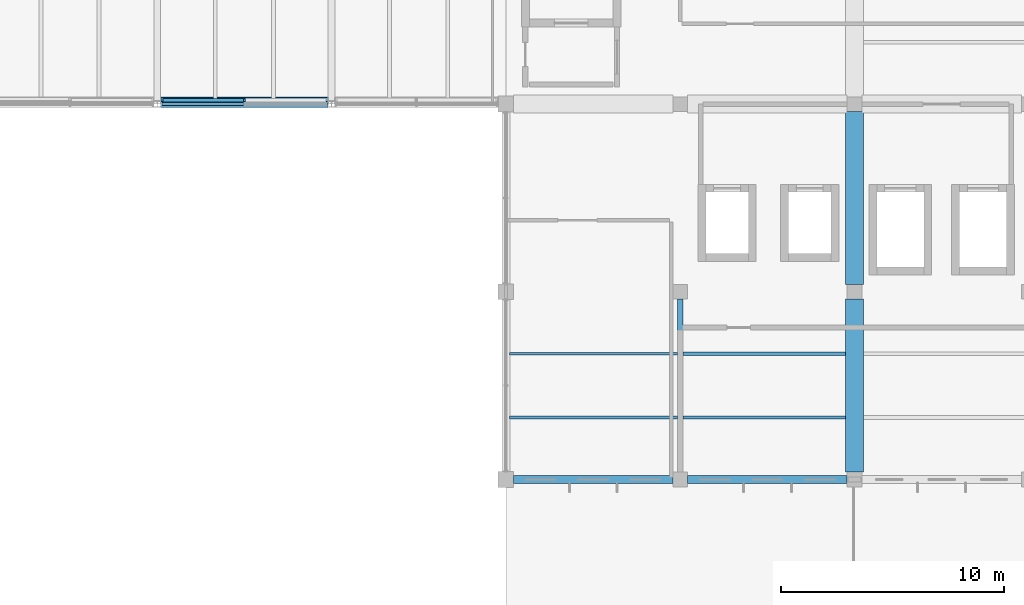
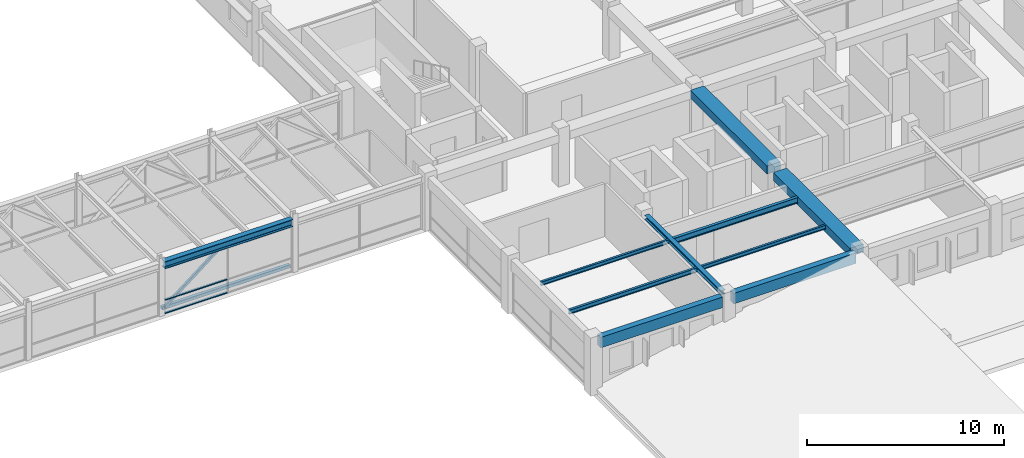
# One storey, part 22 of 49: 10 beams, 5 members, 1 element without a shape of its own.
"""IFC4 building model written with IfcOpenShell, lengths in metres."""

from ifc_helpers import new_model, si_unit, direction, frame, origin, origin_2d, place, context, subcontext, project, spatial, rectangle, hollow_rectangle, i_section, extrude, material, material_profile, profile_set, type_object, element, aggregate, save


model = new_model("IFC4")

# Units and contexts
model_context = context("Model", 3, precision=1e-05, world=origin(), true_north=direction((0.0, 1.0)))
body_context = subcontext(model_context, "Body", "Model", "MODEL_VIEW")
ifc_project = project(units=[si_unit("LENGTHUNIT", "METRE"), si_unit("AREAUNIT", "SQUARE_METRE"), si_unit("VOLUMEUNIT", "CUBIC_METRE"), si_unit("PLANEANGLEUNIT", "RADIAN"), si_unit("MASSUNIT", "GRAM", prefix="KILO"), si_unit("THERMODYNAMICTEMPERATUREUNIT", "KELVIN"), si_unit("POWERUNIT", "WATT")], contexts=[model_context])

# Site, building, storey
site_placement = place(None, origin())
site = spatial("IfcSite", under=ifc_project, at=site_placement, CompositionType="ELEMENT")
building_placement = place(site_placement, origin())
building = spatial("IfcBuilding", under=site, at=building_placement, Name="Srebrne Nadtorze General Hospital", CompositionType="ELEMENT")
storey_placement = place(building_placement, frame((0.0, 0.0, 26.10009765625)))
storey = spatial("IfcBuildingStorey", under=building, at=storey_placement, Name="L06", CompositionType="ELEMENT", Elevation=26.10009765625)

# Beam
ifc_material_1 = material(Name="Steel S355J2", Category="steel")
ifc_material_profile_1 = material_profile(ifc_material_1, i_section(OverallWidth=0.300048828125, OverallDepth=0.449951171875, WebThickness=0.013916015625, FlangeThickness=0.02587890625, FilletRadius=0.027099609375, at=origin_2d()), Name="HEB-450")
ifc_profile_set_1 = profile_set([ifc_material_profile_1], Name="Steel S355J2")
beam_type_1 = type_object("IfcBeamType", Name="Courtyard bridge girder HEB 450", PredefinedType="BEAM", material=ifc_profile_set_1)
beam_1_placement = place(storey_placement, frame((85.949951171875, 50.39990234375, 3.074951171875), z_axis=(1.0, 0.0, 0.0), x_axis=(0.0, 1.0, 0.0)))
element("IfcBeam", 1, at=beam_1_placement, inside=storey, type_object=beam_type_1, Name="Beam BM-L06-X-1158", PredefinedType="BEAM", context=body_context, shape_type="SweptSolid", body=[
    extrude(i_section(OverallWidth=0.300048828125, OverallDepth=0.449951171875, WebThickness=0.013916015625, FlangeThickness=0.02587890625, FilletRadius=0.027099609375, at=origin_2d()), origin(), (0.0, 0.0, 1.0), 7.5),
])

# Curtain wall, members
ifc_material_2 = material(Name="Anodised Aluminium", Category="aluminium")
curtain_wall_type = type_object("IfcCurtainWallType", Name="Bridge curtain wall 7500x2850", PredefinedType="NOTDEFINED", material=ifc_material_2)
curtain_wall_placement = place(storey_placement, origin())
curtain_wall = element("IfcCurtainWall", 2, at=curtain_wall_placement, inside=storey, type_object=curtain_wall_type, Name="Curtain wall CW-142", PredefinedType="NOTDEFINED")
ifc_material_3 = material(Name="Anodised Aluminium", Category="aluminium")
ifc_material_profile_2 = material_profile(ifc_material_3, hollow_rectangle(XDim=0.06005859375, YDim=0.1201171875, WallThickness=0.00390625, at=origin_2d()), Name="AL-TRN-60x120")
ifc_profile_set_2 = profile_set([ifc_material_profile_2], Name="Anodised Aluminium")
member_type_1 = type_object("IfcMemberType", Name="Curtain transom 60x120", PredefinedType="USERDEFINED", material=ifc_profile_set_2)
member_1_placement = place(storey_placement, frame((86.010009765625, 50.39990234375, 0.02978515625), z_axis=(1.0, 0.0, 0.0), x_axis=(0.0, 0.0, 1.0)))
member_1 = element("IfcMember", 3, at=member_1_placement, type_object=member_type_1, Name="CW-142 transom 1.1", ObjectType="TRANSOM", PredefinedType="USERDEFINED", context=body_context, shape_type="SweptSolid", body=[
    extrude(hollow_rectangle(XDim=0.06005859375, YDim=0.1201171875, WallThickness=0.00390625, at=origin_2d()), origin(), (0.0, 0.0, 1.0), 3.659912109375),
])
member_2_placement = place(storey_placement, frame((86.010009765625, 50.39990234375, 0.849853515625), z_axis=(1.0, 0.0, 0.0), x_axis=(0.0, 0.0, 1.0)))
member_2 = element("IfcMember", 4, at=member_2_placement, type_object=member_type_1, Name="CW-142 transom 1.2", ObjectType="TRANSOM", PredefinedType="USERDEFINED", context=body_context, shape_type="SweptSolid", body=[
    extrude(hollow_rectangle(XDim=0.06005859375, YDim=0.1201171875, WallThickness=0.00390625, at=origin_2d()), origin(), (0.0, 0.0, 1.0), 3.659912109375),
])
member_3_placement = place(storey_placement, frame((86.010009765625, 50.39990234375, 2.81982421875), z_axis=(1.0, 0.0, 0.0), x_axis=(0.0, 0.0, 1.0)))
member_3 = element("IfcMember", 5, at=member_3_placement, type_object=member_type_1, Name="CW-142 transom 1.3", ObjectType="TRANSOM", PredefinedType="USERDEFINED", context=body_context, shape_type="SweptSolid", body=[
    extrude(hollow_rectangle(XDim=0.06005859375, YDim=0.1201171875, WallThickness=0.00390625, at=origin_2d()), origin(), (0.0, 0.0, 1.0), 3.659912109375),
])
aggregate(curtain_wall, [member_1, member_2, member_3])

# Beams
ifc_material_4 = material(Name="Steel S355J2", Category="steel")
ifc_material_profile_3 = material_profile(ifc_material_4, i_section(OverallWidth=0.169921875, OverallDepth=0.360107421875, WebThickness=0.008056640625, FlangeThickness=0.0126953125, FilletRadius=0.01806640625, at=origin_2d()), Name="IPE-360")
ifc_profile_set_3 = profile_set([ifc_material_profile_3], Name="Steel S355J2")
beam_type_2 = type_object("IfcBeamType", Name="Deck joist IPE 360", PredefinedType="JOIST", material=ifc_profile_set_3)
beam_2_placement = place(storey_placement, frame((109.324951171875, 39.22802734375, 3.119873046875), z_axis=(1.0, 0.0, 0.0), x_axis=(0.0, 1.0, 0.0)))
element("IfcBeam", 6, at=beam_2_placement, inside=storey, type_object=beam_type_2, Name="Interstitial deck joist SJ-L06-0133", PredefinedType="JOIST", context=body_context, shape_type="SweptSolid", body=[
    extrude(i_section(OverallWidth=0.169921875, OverallDepth=0.360107421875, WebThickness=0.008056640625, FlangeThickness=0.0126953125, FilletRadius=0.01806640625, at=origin_2d()), origin(), (0.0, 0.0, 1.0), 7.280029296875),
])
ifc_material_5 = material(Name="Concrete C35/45", Category="concrete")
ifc_material_profile_4 = material_profile(ifc_material_5, rectangle(XDim=0.35009765625, YDim=0.64990234375, at=origin_2d()), Name="RC-BM-350x650")
ifc_profile_set_4 = profile_set([ifc_material_profile_4], Name="Concrete C35/45")
beam_type_3 = type_object("IfcBeamType", Name="Edge beam RC 350x650", PredefinedType="BEAM", material=ifc_profile_set_4)
beam_3_placement = place(storey_placement, frame((101.75, 33.60009765625, 2.974853515625), z_axis=(1.0, 0.0, 0.0), x_axis=(0.0, 1.0, 0.0)))
element("IfcBeam", 7, at=beam_3_placement, inside=storey, type_object=beam_type_3, Name="Beam BM-L06-X-1144", PredefinedType="BEAM", context=body_context, shape_type="SweptSolid", body=[
    extrude(rectangle(XDim=0.35009765625, YDim=0.64990234375, at=origin_2d()), origin(), (0.0, 0.0, 1.0), 7.125),
])
beam_4_placement = place(storey_placement, frame((109.52490234375, 33.60009765625, 2.974853515625), z_axis=(1.0, 0.0, 0.0), x_axis=(0.0, 1.0, 0.0)))
element("IfcBeam", 8, at=beam_4_placement, inside=storey, type_object=beam_type_3, Name="Beam BM-L06-X-1145", PredefinedType="BEAM", context=body_context, shape_type="SweptSolid", body=[
    extrude(rectangle(XDim=0.35009765625, YDim=0.64990234375, at=origin_2d()), origin(), (0.0, 0.0, 1.0), 7.150146484375),
])
ifc_material_6 = material(Name="Steel S355J2", Category="steel")
ifc_material_profile_5 = material_profile(ifc_material_6, i_section(OverallWidth=0.260009765625, OverallDepth=0.25, WebThickness=0.007568359375, FlangeThickness=0.012451171875, FilletRadius=0.02392578125, at=origin_2d()), Name="HEA-260")
ifc_profile_set_5 = profile_set([ifc_material_profile_5], Name="Steel S355J2")
beam_type_4 = type_object("IfcBeamType", Name="Primary beam HEA 260", PredefinedType="BEAM", material=ifc_profile_set_5)
beam_5_placement = place(storey_placement, frame((109.199951171875, 33.925048828125, 3.1748046875), z_axis=(0.0, 1.0, 0.0), x_axis=(-1.0, 0.0, 0.0)))
element("IfcBeam", 9, at=beam_5_placement, inside=storey, type_object=beam_type_4, Name="Interstitial steel beam SB-L06-0100", PredefinedType="BEAM", context=body_context, shape_type="SweptSolid", body=[
    extrude(i_section(OverallWidth=0.260009765625, OverallDepth=0.25, WebThickness=0.007568359375, FlangeThickness=0.012451171875, FilletRadius=0.02392578125, at=origin_2d()), origin(), (0.0, 0.0, 1.0), 7.75),
])
ifc_material_7 = material(Name="Concrete C40/50", Category="concrete")
ifc_material_profile_6 = material_profile(ifc_material_7, rectangle(XDim=0.800048828125, YDim=0.5, at=origin_2d()), Name="RC-BM-800x500")
ifc_profile_set_6 = profile_set([ifc_material_profile_6], Name="Concrete C40/50")
beam_type_5 = type_object("IfcBeamType", Name="Primary beam RC 800x500", PredefinedType="BEAM", material=ifc_profile_set_6)
for number, where, z_axis, x_axis, name in (
    (10, (117.0, 33.925048828125, 3.0498046875), (0.0, 1.0, 0.0), (-1.0, 0.0, 0.0), "Beam BM-L06-Y-1228"),
    (11, (117.0, 42.324951171875, 3.0498046875), (0.0, 1.0, 0.0), (-1.0, 0.0, 0.0), "Beam BM-L06-Y-1229"),
):
    element("IfcBeam", number, at=place(storey_placement, frame(where, z_axis=z_axis, x_axis=x_axis)), inside=storey, type_object=beam_type_5, Name=name, PredefinedType="BEAM", context=body_context, shape_type="SweptSolid", body=[
        extrude(rectangle(XDim=0.800048828125, YDim=0.5, at=origin_2d()), origin(), (0.0, 0.0, 1.0), 7.75),
    ])
ifc_material_8 = material(Name="Steel S355J2", Category="steel")
ifc_material_profile_7 = material_profile(ifc_material_8, i_section(OverallWidth=0.1201171875, OverallDepth=0.239990234375, WebThickness=0.006103515625, FlangeThickness=0.009765625, FilletRadius=0.014892578125, at=origin_2d()), Name="IPE-240")
ifc_profile_set_7 = profile_set([ifc_material_profile_7], Name="Steel S355J2")
beam_type_6 = type_object("IfcBeamType", Name="Secondary joist IPE 240", PredefinedType="JOIST", material=ifc_profile_set_7)
beam_6_placement = place(storey_placement, frame((101.570068359375, 39.22802734375, 3.179931640625), z_axis=(1.0, 0.0, 0.0), x_axis=(0.0, 1.0, 0.0)))
element("IfcBeam", 12, at=beam_6_placement, inside=storey, type_object=beam_type_6, Name="Interstitial deck joist SJ-L06-0129", PredefinedType="JOIST", context=body_context, shape_type="SweptSolid", body=[
    extrude(i_section(OverallWidth=0.1201171875, OverallDepth=0.239990234375, WebThickness=0.006103515625, FlangeThickness=0.009765625, FilletRadius=0.014892578125, at=origin_2d()), origin(), (0.0, 0.0, 1.0), 7.5048828125),
])
beam_7_placement = place(storey_placement, frame((109.324951171875, 36.3720703125, 3.179931640625), z_axis=(1.0, 0.0, 0.0), x_axis=(0.0, 1.0, 0.0)))
element("IfcBeam", 13, at=beam_7_placement, inside=storey, type_object=beam_type_6, Name="Interstitial deck joist SJ-L06-0132", PredefinedType="JOIST", context=body_context, shape_type="SweptSolid", body=[
    extrude(i_section(OverallWidth=0.1201171875, OverallDepth=0.239990234375, WebThickness=0.006103515625, FlangeThickness=0.009765625, FilletRadius=0.014892578125, at=origin_2d()), origin(), (0.0, 0.0, 1.0), 7.280029296875),
])
ifc_material_9 = material(Name="Steel S355J2", Category="steel")
ifc_material_profile_8 = material_profile(ifc_material_9, i_section(OverallWidth=0.135009765625, OverallDepth=0.27001953125, WebThickness=0.006591796875, FlangeThickness=0.01025390625, FilletRadius=0.014892578125, at=origin_2d()), Name="IPE-270")
ifc_profile_set_8 = profile_set([ifc_material_profile_8], Name="Steel S355J2")
beam_type_7 = type_object("IfcBeamType", Name="Secondary joist IPE 270", PredefinedType="JOIST", material=ifc_profile_set_8)
beam_8_placement = place(storey_placement, frame((101.570068359375, 36.3720703125, 3.164794921875), z_axis=(1.0, 0.0, 0.0), x_axis=(0.0, 1.0, 0.0)))
element("IfcBeam", 14, at=beam_8_placement, inside=storey, type_object=beam_type_7, Name="Interstitial deck joist SJ-L06-0128", PredefinedType="JOIST", context=body_context, shape_type="SweptSolid", body=[
    extrude(i_section(OverallWidth=0.135009765625, OverallDepth=0.27001953125, WebThickness=0.006591796875, FlangeThickness=0.01025390625, FilletRadius=0.014892578125, at=origin_2d()), origin(), (0.0, 0.0, 1.0), 7.5048828125),
])

# Members
ifc_material_10 = material(Name="Steel S355J2", Category="steel")
ifc_material_profile_9 = material_profile(ifc_material_10, hollow_rectangle(XDim=0.199951171875, YDim=0.199951171875, WallThickness=0.010009765625, InnerFilletRadius=0.010009765625, OuterFilletRadius=0.014892578125, at=origin_2d()), Name="SHS-200x200x10")
ifc_profile_set_9 = profile_set([ifc_material_profile_9], Name="Steel S355J2")
member_type_2 = type_object("IfcMemberType", Name="Truss chord SHS 200x200x10", PredefinedType="CHORD", material=ifc_profile_set_9)
member_4_placement = place(storey_placement, frame((85.9619140625, 50.60498046875, 0.25), z_axis=(1.0, 0.0, 0.0), x_axis=(0.0, 1.0, 0.0)))
element("IfcMember", 15, at=member_4_placement, inside=storey, type_object=member_type_2, Name="Clinical courtyard bridge truss chord 17", PredefinedType="CHORD", context=body_context, shape_type="SweptSolid", body=[
    extrude(hollow_rectangle(XDim=0.199951171875, YDim=0.199951171875, WallThickness=0.010009765625, InnerFilletRadius=0.010009765625, OuterFilletRadius=0.014892578125, at=origin_2d()), origin(), (0.0, 0.0, 1.0), 7.47607421875),
])
ifc_material_11 = material(Name="Steel S355J2", Category="steel")
ifc_material_profile_10 = material_profile(ifc_material_11, hollow_rectangle(XDim=0.14990234375, YDim=0.14990234375, WallThickness=0.00634765625, InnerFilletRadius=0.006103515625, OuterFilletRadius=0.009033203125, at=origin_2d()), Name="SHS-150x150x6.3")
ifc_profile_set_10 = profile_set([ifc_material_profile_10], Name="Steel S355J2")
member_type_3 = type_object("IfcMemberType", Name="Wind brace SHS 150x150x6.3", PredefinedType="BRACE", material=ifc_profile_set_10)
member_5_placement = place(storey_placement, frame((86.10009765625, 50.570068359375, 0.25), z_axis=(0.786172155182, 0.0, 0.618007558543), x_axis=(0.0, 1.0, 0.0)))
element("IfcMember", 16, at=member_5_placement, inside=storey, type_object=member_type_3, Name="Clinical courtyard bridge brace 33", PredefinedType="BRACE", context=body_context, shape_type="SweptSolid", body=[
    extrude(hollow_rectangle(XDim=0.14990234375, YDim=0.14990234375, WallThickness=0.00634765625, InnerFilletRadius=0.006103515625, OuterFilletRadius=0.009033203125, at=origin_2d()), origin(), (0.0, 0.0, 1.0), 4.578857421875),
])

save(model, "model.ifc")
